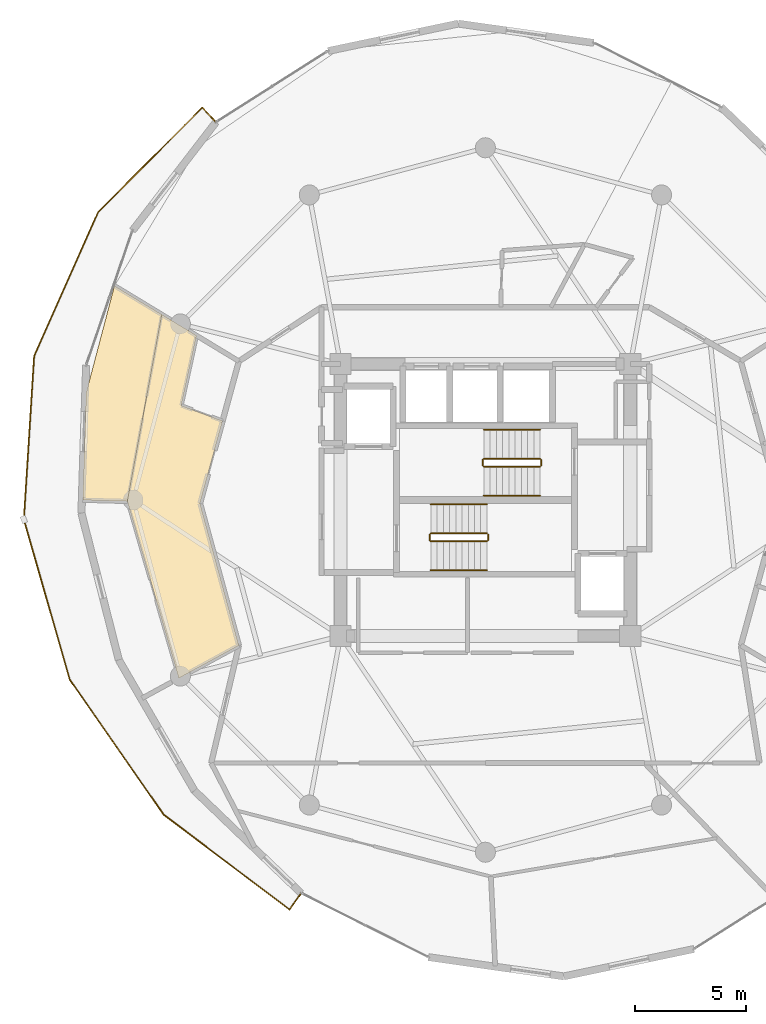
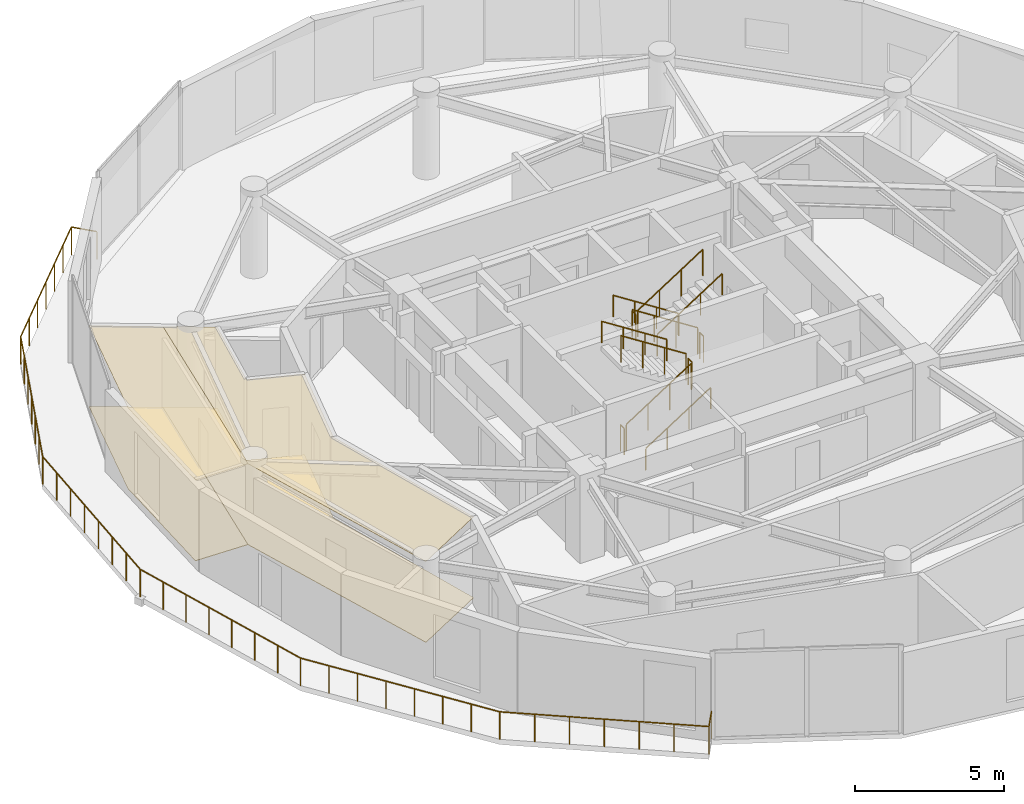
# One storey, part 18 of 19: 13 railings, 4 coverings.
"""IFC4 building model written with IfcOpenShell, lengths in metres."""

from ifc_helpers import new_model, si_unit, direction, frame, origin, origin_2d, place, context, subcontext, project, spatial, polyline, circle, outline, extrude, material, layer, layer_set, type_object, element, save


model = new_model("IFC4")

# Units and contexts
model_context = context("Model", 3, precision=1e-05, world=origin(), true_north=direction((0.0, 1.0)))
body_context = subcontext(model_context, "Body", "Model", "MODEL_VIEW")
ifc_project = project(units=[si_unit("LENGTHUNIT", "METRE"), si_unit("AREAUNIT", "SQUARE_METRE"), si_unit("VOLUMEUNIT", "CUBIC_METRE"), si_unit("PLANEANGLEUNIT", "RADIAN"), si_unit("MASSUNIT", "GRAM", prefix="KILO")], contexts=[model_context])

# Site, building, storey
site_placement = place(None, origin())
site = spatial("IfcSite", under=ifc_project, at=site_placement, CompositionType="ELEMENT")
building_placement = place(site_placement, origin())
building = spatial("IfcBuilding", under=site, at=building_placement, Name="Solvirekh Grand Hotel", CompositionType="ELEMENT")
storey_placement = place(building_placement, frame((0.0, 0.0, 212.800048828125)))
storey = spatial("IfcBuildingStorey", under=building, at=storey_placement, Name="L55", CompositionType="ELEMENT", Elevation=212.800048828125)

# Coverings
ifc_material_1 = material(Name="Acoustic Mineral Ceiling Tile")
ifc_layer_1 = layer(ifc_material_1, 0.02490234375)
ifc_layer_set_1 = layer_set([ifc_layer_1], Name="Acoustic Mineral Ceiling Tile")
covering_type_1 = type_object("IfcCoveringType", Name="Cov_Ceiling_Acoustic", PredefinedType="CEILING", material=ifc_layer_set_1)
covering_1_placement = place(storey_placement, frame((0.0, 0.0, 3.31005859375)))
element("IfcCovering", 1, at=covering_1_placement, inside=storey, type_object=covering_type_1, Name="L55 Executive Suite 5703 Living Room acoustic ceiling", PredefinedType="CEILING", context=body_context, shape_type="SweptSolid", body=[
    extrude(outline(polyline([(-13.64208984375, 4.236083984375), (-12.9560546875, 7.375), (-14.51904296875, 8.322021484375), (-16.06201171875, -0.056884765625), (-13.751953125, -7.992919921875), (-11.05810546875, -6.52490234375), (-12.800048828125, -0.14990234375), (-11.7900390625, 3.547119140625), (-13.64208984375, 4.236083984375)])), origin(), (0.0, 0.0, 1.0), 0.017822265625),
])
covering_2_placement = place(storey_placement, frame((0.0, 0.0, 3.31005859375)))
element("IfcCovering", 2, at=covering_2_placement, inside=storey, type_object=covering_type_1, Name="L55 Executive Suite 5703 Master Bedroom acoustic ceiling", PredefinedType="CEILING", context=body_context, shape_type="SweptSolid", body=[
    extrude(outline(polyline([(-16.639892578125, 9.60693359375), (-17.908935546875, 4.799072265625), (-18.06103515625, 0.0), (-16.06201171875, -0.056884765625), (-14.51904296875, 8.322021484375), (-16.639892578125, 9.60693359375)])), origin(), (0.0, 0.0, 1.0), 0.017822265625),
])
ifc_material_2 = material(Name="Porcelain Stoneware Flooring", Category="masonry")
ifc_layer_2 = layer(ifc_material_2, 0.030029296875)
ifc_layer_set_2 = layer_set([ifc_layer_2], Name="Porcelain Stoneware Flooring")
covering_type_2 = type_object("IfcCoveringType", Name="Cov_Floor_Stone", PredefinedType="FLOORING", material=ifc_layer_set_2)
covering_3_placement = place(storey_placement, origin())
element("IfcCovering", 3, at=covering_3_placement, inside=storey, type_object=covering_type_2, Name="L55 Executive Suite 5703 Living Room polished granite flooring", PredefinedType="FLOORING", context=body_context, shape_type="SweptSolid", body=[
    extrude(outline(polyline([(-13.64208984375, 4.236083984375), (-12.9560546875, 7.375), (-14.51904296875, 8.322021484375), (-16.06201171875, -0.056884765625), (-13.751953125, -7.992919921875), (-11.05810546875, -6.52490234375), (-12.800048828125, -0.14990234375), (-11.7900390625, 3.547119140625), (-13.64208984375, 4.236083984375)])), origin(), (0.0, 0.0, 1.0), 0.02001953125),
])
covering_4_placement = place(storey_placement, origin())
element("IfcCovering", 4, at=covering_4_placement, inside=storey, type_object=covering_type_2, Name="L55 Executive Suite 5703 Master Bedroom polished granite flooring", PredefinedType="FLOORING", context=body_context, shape_type="SweptSolid", body=[
    extrude(outline(polyline([(-16.639892578125, 9.60693359375), (-17.908935546875, 4.799072265625), (-18.06103515625, 0.0), (-16.06201171875, -0.056884765625), (-14.51904296875, 8.322021484375), (-16.639892578125, 9.60693359375)])), origin(), (0.0, 0.0, 1.0), 0.02001953125),
])

# Railings
ifc_material_3 = material(Name="Anodized Bronze Aluminium 6063-T6", Category="aluminium")
railing_type_1 = type_object("IfcRailingType", Name="Guard_ExtGlass_1150", PredefinedType="BALUSTRADE", material=ifc_material_3)
railing_1_placement = place(storey_placement, frame((-12.090087890625, 16.943115234375, 0.0)))
element("IfcRailing", 5, at=railing_1_placement, inside=storey, type_object=railing_type_1, Name="L55 balc perimeter glass balustrade", PredefinedType="BALUSTRADE", context=body_context, shape_type="SweptSolid", body=[
    extrude(circle(Radius=0.02392578125, at=origin_2d()), frame((0.0, 0.0, 1.1259765625), z_axis=(-0.676498087058, 0.736444389079, 0.0), x_axis=(-0.736444389079, -0.676498087058, 0.0)), (0.0, 0.0, 1.0), 0.900146484375),
    extrude(circle(Radius=0.02392578125, at=origin_2d()), frame((-0.60888671875, 0.662841796875, 1.1259765625), z_axis=(-0.705373367744, -0.708835955689, 0.0), x_axis=(0.708835955689, -0.705373367744, 0.0)), (0.0, 0.0, 1.0), 6.627685546875),
    extrude(circle(Radius=0.02392578125, at=origin_2d()), frame((-5.283935546875, -4.03515625, 1.1259765625), z_axis=(-0.40672607308, -0.913550163635, 0.0), x_axis=(0.913550163635, -0.40672607308, 0.0)), (0.0, 0.0, 1.0), 7.0537109375),
    extrude(circle(Radius=0.02392578125, at=origin_2d()), frame((-8.15283203125, -10.47900390625, 1.1259765625), z_axis=(-0.062830815664, -0.998024192394, 0.0), x_axis=(0.998024192394, -0.062830815664, 0.0)), (0.0, 0.0, 1.0), 7.355712890625),
    extrude(circle(Radius=0.02392578125, at=origin_2d()), frame((-8.614990234375, -17.820068359375, 1.1259765625), z_axis=(0.275765040217, -0.961225073848, 0.0), x_axis=(0.961225073848, 0.275765040217, 0.0)), (0.0, 0.0, 1.0), 7.473876953125),
    extrude(circle(Radius=0.02392578125, at=origin_2d()), frame((-6.553955078125, -25.004150390625, 1.1259765625), z_axis=(0.571210853476, -0.820803363097, 0.0), x_axis=(0.820803363097, 0.571210853476, 0.0)), (0.0, 0.0, 1.0), 7.379150390625),
    extrude(circle(Radius=0.02392578125, at=origin_2d()), frame((-2.3388671875, -31.06103515625, 1.1259765625), z_axis=(0.798579849837, -0.60188887964, 0.0), x_axis=(0.60188887964, 0.798579849837, 0.0)), (0.0, 0.0, 1.0), 7.06640625),
    extrude(circle(Radius=0.02392578125, at=origin_2d()), frame((3.30419921875, -35.314208984375, 1.1259765625), z_axis=(0.579980116185, 0.814630630918, 0.0), x_axis=(-0.814630630918, 0.579980116185, 0.0)), (0.0, 0.0, 1.0), 0.89990234375),
    extrude(circle(Radius=0.02099609375, at=origin_2d()), origin(), (0.0, 0.0, 1.0), 1.101806640625),
    extrude(circle(Radius=0.02099609375, at=origin_2d()), frame((-0.60888671875, 0.662841796875, 0.0)), (0.0, 0.0, 1.0), 1.101806640625),
    extrude(circle(Radius=0.02099609375, at=origin_2d()), frame((-1.38818359375, -0.1201171875, 0.0)), (0.0, 0.0, 1.0), 1.101806640625),
    extrude(circle(Radius=0.02099609375, at=origin_2d()), frame((-2.167236328125, -0.903076171875, 0.0)), (0.0, 0.0, 1.0), 1.101806640625),
    extrude(circle(Radius=0.02099609375, at=origin_2d()), frame((-2.9462890625, -1.68603515625, 0.0)), (0.0, 0.0, 1.0), 1.101806640625),
    extrude(circle(Radius=0.02099609375, at=origin_2d()), frame((-3.7255859375, -2.46923828125, 0.0)), (0.0, 0.0, 1.0), 1.101806640625),
    extrude(circle(Radius=0.02099609375, at=origin_2d()), frame((-4.5048828125, -3.252197265625, 0.0)), (0.0, 0.0, 1.0), 1.101806640625),
    extrude(circle(Radius=0.02099609375, at=origin_2d()), frame((-5.283935546875, -4.03515625, 0.0)), (0.0, 0.0, 1.0), 1.101806640625),
    extrude(circle(Radius=0.02099609375, at=origin_2d()), frame((-5.76220703125, -5.109130859375, 0.0)), (0.0, 0.0, 1.0), 1.101806640625),
    extrude(circle(Radius=0.02099609375, at=origin_2d()), frame((-6.240234375, -6.18310546875, 0.0)), (0.0, 0.0, 1.0), 1.101806640625),
    extrude(circle(Radius=0.02099609375, at=origin_2d()), frame((-6.71826171875, -7.257080078125, 0.0)), (0.0, 0.0, 1.0), 1.101806640625),
    extrude(circle(Radius=0.02099609375, at=origin_2d()), frame((-7.196533203125, -8.3310546875, 0.0)), (0.0, 0.0, 1.0), 1.101806640625),
    extrude(circle(Radius=0.02099609375, at=origin_2d()), frame((-7.6748046875, -9.405029296875, 0.0)), (0.0, 0.0, 1.0), 1.101806640625),
    extrude(circle(Radius=0.02099609375, at=origin_2d()), frame((-8.15283203125, -10.47900390625, 0.0)), (0.0, 0.0, 1.0), 1.101806640625),
    extrude(circle(Radius=0.02099609375, at=origin_2d()), frame((-8.21875, -11.52783203125, 0.0)), (0.0, 0.0, 1.0), 1.101806640625),
    extrude(circle(Radius=0.02099609375, at=origin_2d()), frame((-8.284912109375, -12.576416015625, 0.0)), (0.0, 0.0, 1.0), 1.101806640625),
    extrude(circle(Radius=0.02099609375, at=origin_2d()), frame((-8.350830078125, -13.625244140625, 0.0)), (0.0, 0.0, 1.0), 1.101806640625),
    extrude(circle(Radius=0.02099609375, at=origin_2d()), frame((-8.4169921875, -14.673828125, 0.0)), (0.0, 0.0, 1.0), 1.101806640625),
    extrude(circle(Radius=0.02099609375, at=origin_2d()), frame((-8.48291015625, -15.72265625, 0.0)), (0.0, 0.0, 1.0), 1.101806640625),
    extrude(circle(Radius=0.02099609375, at=origin_2d()), frame((-8.549072265625, -16.771240234375, 0.0)), (0.0, 0.0, 1.0), 1.101806640625),
    extrude(circle(Radius=0.02099609375, at=origin_2d()), frame((-8.614990234375, -17.820068359375, 0.0)), (0.0, 0.0, 1.0), 1.101806640625),
    extrude(circle(Radius=0.02099609375, at=origin_2d()), frame((-8.320556640625, -18.846435546875, 0.0)), (0.0, 0.0, 1.0), 1.101806640625),
    extrude(circle(Radius=0.02099609375, at=origin_2d()), frame((-8.026123046875, -19.87255859375, 0.0)), (0.0, 0.0, 1.0), 1.101806640625),
    extrude(circle(Radius=0.02099609375, at=origin_2d()), frame((-7.731689453125, -20.89892578125, 0.0)), (0.0, 0.0, 1.0), 1.101806640625),
    extrude(circle(Radius=0.02099609375, at=origin_2d()), frame((-7.437255859375, -21.92529296875, 0.0)), (0.0, 0.0, 1.0), 1.101806640625),
    extrude(circle(Radius=0.02099609375, at=origin_2d()), frame((-7.142822265625, -22.95166015625, 0.0)), (0.0, 0.0, 1.0), 1.101806640625),
    extrude(circle(Radius=0.02099609375, at=origin_2d()), frame((-6.848388671875, -23.977783203125, 0.0)), (0.0, 0.0, 1.0), 1.101806640625),
    extrude(circle(Radius=0.02099609375, at=origin_2d()), frame((-6.553955078125, -25.004150390625, 0.0)), (0.0, 0.0, 1.0), 1.101806640625),
    extrude(circle(Radius=0.02099609375, at=origin_2d()), frame((-5.951904296875, -25.869384765625, 0.0)), (0.0, 0.0, 1.0), 1.101806640625),
    extrude(circle(Radius=0.02099609375, at=origin_2d()), frame((-5.349609375, -26.734619140625, 0.0)), (0.0, 0.0, 1.0), 1.101806640625),
    extrude(circle(Radius=0.02099609375, at=origin_2d()), frame((-4.74755859375, -27.599853515625, 0.0)), (0.0, 0.0, 1.0), 1.101806640625),
    extrude(circle(Radius=0.02099609375, at=origin_2d()), frame((-4.145263671875, -28.46533203125, 0.0)), (0.0, 0.0, 1.0), 1.101806640625),
    extrude(circle(Radius=0.02099609375, at=origin_2d()), frame((-3.543212890625, -29.33056640625, 0.0)), (0.0, 0.0, 1.0), 1.101806640625),
    extrude(circle(Radius=0.02099609375, at=origin_2d()), frame((-2.94091796875, -30.19580078125, 0.0)), (0.0, 0.0, 1.0), 1.101806640625),
    extrude(circle(Radius=0.02099609375, at=origin_2d()), frame((-2.3388671875, -31.06103515625, 0.0)), (0.0, 0.0, 1.0), 1.101806640625),
    extrude(circle(Radius=0.02099609375, at=origin_2d()), frame((-1.3984375, -31.77001953125, 0.0)), (0.0, 0.0, 1.0), 1.101806640625),
    extrude(circle(Radius=0.02099609375, at=origin_2d()), frame((-0.457763671875, -32.478759765625, 0.0)), (0.0, 0.0, 1.0), 1.101806640625),
    extrude(circle(Radius=0.02099609375, at=origin_2d()), frame((0.482666015625, -33.1875, 0.0)), (0.0, 0.0, 1.0), 1.101806640625),
    extrude(circle(Radius=0.02099609375, at=origin_2d()), frame((1.423095703125, -33.896484375, 0.0)), (0.0, 0.0, 1.0), 1.101806640625),
    extrude(circle(Radius=0.02099609375, at=origin_2d()), frame((2.36376953125, -34.60546875, 0.0)), (0.0, 0.0, 1.0), 1.101806640625),
    extrude(circle(Radius=0.02099609375, at=origin_2d()), frame((3.30419921875, -35.314208984375, 0.0)), (0.0, 0.0, 1.0), 1.101806640625),
    extrude(circle(Radius=0.02099609375, at=origin_2d()), frame((3.826171875, -34.5810546875, 0.0)), (0.0, 0.0, 1.0), 1.101806640625),
])
ifc_material_4 = material(Name="Steel S355", Category="steel")
railing_type_2 = type_object("IfcRailingType", Name="Guard_Stair_1100", PredefinedType="GUARDRAIL", material=ifc_material_4)
railing_2_placement = place(storey_placement, frame((-2.449951171875, -1.85009765625, 0.179931640625)))
element("IfcRailing", 6, at=railing_2_placement, inside=storey, type_object=railing_type_2, Name="L55 ST-1 stair guard 1", PredefinedType="GUARDRAIL", context=body_context, shape_type="SweptSolid", body=[
    extrude(circle(Radius=0.02392578125, at=origin_2d()), frame((0.0, 0.0, 1.076171875), z_axis=(0.841162588446, 0.0, 0.540782303519), x_axis=(0.0, 1.0, 0.0)), (0.0, 0.0, 1.0), 2.995849609375),
    extrude(circle(Radius=0.02099609375, at=origin_2d()), origin(), (0.0, 0.0, 1.0), 1.052001953125),
    extrude(circle(Radius=0.02099609375, at=origin_2d()), frame((0.840087890625, 0.0, 0.5400390625)), (0.0, 0.0, 1.0), 1.052001953125),
    extrude(circle(Radius=0.02099609375, at=origin_2d()), frame((1.679931640625, 0.0, 1.080078125)), (0.0, 0.0, 1.0), 1.052001953125),
    extrude(circle(Radius=0.02099609375, at=origin_2d()), frame((2.52001953125, 0.0, 1.6201171875)), (0.0, 0.0, 1.0), 1.052001953125),
])
railing_3_placement = place(storey_placement, frame((0.1201171875, -1.800048828125, 1.800048828125)))
element("IfcRailing", 7, at=railing_3_placement, inside=storey, type_object=railing_type_2, Name="L55 ST-1 stair guard 2", PredefinedType="GUARDRAIL", context=body_context, shape_type="SweptSolid", body=[
    extrude(circle(Radius=0.02392578125, at=origin_2d()), frame((0.0, 0.0, 1.076171875), z_axis=(0.0, 1.0, 0.0), x_axis=(-1.0, 0.0, 0.0)), (0.0, 0.0, 1.0), 0.25),
    extrude(circle(Radius=0.02099609375, at=origin_2d()), origin(), (0.0, 0.0, 1.0), 1.052001953125),
    extrude(circle(Radius=0.02099609375, at=origin_2d()), frame((0.0, 0.25, 0.0)), (0.0, 0.0, 1.0), 1.052001953125),
])
railing_4_placement = place(storey_placement, frame((0.070068359375, -1.5, 1.97998046875)))
element("IfcRailing", 8, at=railing_4_placement, inside=storey, type_object=railing_type_2, Name="L55 ST-1 stair guard 3", PredefinedType="GUARDRAIL", context=body_context, shape_type="SweptSolid", body=[
    extrude(circle(Radius=0.02392578125, at=origin_2d()), frame((0.0, 0.0, 1.076171875), z_axis=(-0.841199657755, 0.0, 0.540724639528), x_axis=(0.0, -1.0, 0.0)), (0.0, 0.0, 1.0), 2.995849609375),
    extrude(circle(Radius=0.02099609375, at=origin_2d()), origin(), (0.0, 0.0, 1.0), 1.052001953125),
    extrude(circle(Radius=0.02099609375, at=origin_2d()), frame((-0.840087890625, 0.0, 0.5400390625)), (0.0, 0.0, 1.0), 1.052001953125),
    extrude(circle(Radius=0.02099609375, at=origin_2d()), frame((-1.679931640625, 0.0, 1.079833984375)), (0.0, 0.0, 1.0), 1.052001953125),
    extrude(circle(Radius=0.02099609375, at=origin_2d()), frame((-2.52001953125, 0.0, 1.619873046875)), (0.0, 0.0, 1.0), 1.052001953125),
])
railing_5_placement = place(storey_placement, frame((-2.5, -1.800048828125, 0.0)))
element("IfcRailing", 9, at=railing_5_placement, inside=storey, type_object=railing_type_2, Name="L55 ST-1 stair guard 4", PredefinedType="GUARDRAIL", context=body_context, shape_type="SweptSolid", body=[
    extrude(circle(Radius=0.02392578125, at=origin_2d()), frame((0.0, 0.0, 1.076171875), z_axis=(0.0, 1.0, 0.0), x_axis=(-1.0, 0.0, 0.0)), (0.0, 0.0, 1.0), 0.25),
    extrude(circle(Radius=0.02099609375, at=origin_2d()), origin(), (0.0, 0.0, 1.0), 1.052001953125),
    extrude(circle(Radius=0.02099609375, at=origin_2d()), frame((0.0, 0.25, 0.0)), (0.0, 0.0, 1.0), 1.052001953125),
])
railing_6_placement = place(storey_placement, frame((2.449951171875, 1.85009765625, 0.179931640625)))
element("IfcRailing", 10, at=railing_6_placement, inside=storey, type_object=railing_type_2, Name="L55 ST-2 stair guard 1", PredefinedType="GUARDRAIL", context=body_context, shape_type="SweptSolid", body=[
    extrude(circle(Radius=0.02392578125, at=origin_2d()), frame((0.0, 0.0, 1.076171875), z_axis=(-0.841162588446, 0.0, 0.540782303519), x_axis=(0.0, -1.0, 0.0)), (0.0, 0.0, 1.0), 2.995849609375),
    extrude(circle(Radius=0.02099609375, at=origin_2d()), origin(), (0.0, 0.0, 1.0), 1.052001953125),
    extrude(circle(Radius=0.02099609375, at=origin_2d()), frame((-0.840087890625, 0.0, 0.5400390625)), (0.0, 0.0, 1.0), 1.052001953125),
    extrude(circle(Radius=0.02099609375, at=origin_2d()), frame((-1.679931640625, 0.0, 1.080078125)), (0.0, 0.0, 1.0), 1.052001953125),
    extrude(circle(Radius=0.02099609375, at=origin_2d()), frame((-2.52001953125, 0.0, 1.6201171875)), (0.0, 0.0, 1.0), 1.052001953125),
])
railing_7_placement = place(storey_placement, frame((-0.1201171875, 1.800048828125, 1.800048828125)))
element("IfcRailing", 11, at=railing_7_placement, inside=storey, type_object=railing_type_2, Name="L55 ST-2 stair guard 2", PredefinedType="GUARDRAIL", context=body_context, shape_type="SweptSolid", body=[
    extrude(circle(Radius=0.02392578125, at=origin_2d()), frame((0.0, 0.0, 1.076171875), z_axis=(0.0, -1.0, 0.0), x_axis=(1.0, 0.0, 0.0)), (0.0, 0.0, 1.0), 0.25),
    extrude(circle(Radius=0.02099609375, at=origin_2d()), origin(), (0.0, 0.0, 1.0), 1.052001953125),
    extrude(circle(Radius=0.02099609375, at=origin_2d()), frame((0.0, -0.25, 0.0)), (0.0, 0.0, 1.0), 1.052001953125),
])
railing_8_placement = place(storey_placement, frame((-0.070068359375, 1.5, 1.97998046875)))
element("IfcRailing", 12, at=railing_8_placement, inside=storey, type_object=railing_type_2, Name="L55 ST-2 stair guard 3", PredefinedType="GUARDRAIL", context=body_context, shape_type="SweptSolid", body=[
    extrude(circle(Radius=0.02392578125, at=origin_2d()), frame((0.0, 0.0, 1.076171875), z_axis=(0.841199657755, 0.0, 0.540724639528), x_axis=(0.0, 1.0, 0.0)), (0.0, 0.0, 1.0), 2.995849609375),
    extrude(circle(Radius=0.02099609375, at=origin_2d()), origin(), (0.0, 0.0, 1.0), 1.052001953125),
    extrude(circle(Radius=0.02099609375, at=origin_2d()), frame((0.840087890625, 0.0, 0.5400390625)), (0.0, 0.0, 1.0), 1.052001953125),
    extrude(circle(Radius=0.02099609375, at=origin_2d()), frame((1.679931640625, 0.0, 1.079833984375)), (0.0, 0.0, 1.0), 1.052001953125),
    extrude(circle(Radius=0.02099609375, at=origin_2d()), frame((2.52001953125, 0.0, 1.619873046875)), (0.0, 0.0, 1.0), 1.052001953125),
])
railing_9_placement = place(storey_placement, frame((2.5, 1.800048828125, 0.0)))
element("IfcRailing", 13, at=railing_9_placement, inside=storey, type_object=railing_type_2, Name="L55 ST-2 stair guard 4", PredefinedType="GUARDRAIL", context=body_context, shape_type="SweptSolid", body=[
    extrude(circle(Radius=0.02392578125, at=origin_2d()), frame((0.0, 0.0, 1.076171875), z_axis=(0.0, -1.0, 0.0), x_axis=(1.0, 0.0, 0.0)), (0.0, 0.0, 1.0), 0.25),
    extrude(circle(Radius=0.02099609375, at=origin_2d()), origin(), (0.0, 0.0, 1.0), 1.052001953125),
    extrude(circle(Radius=0.02099609375, at=origin_2d()), frame((0.0, -0.25, 0.0)), (0.0, 0.0, 1.0), 1.052001953125),
])
railing_type_3 = type_object("IfcRailingType", Name="Handrail_Wall_900", PredefinedType="HANDRAIL", material=ifc_material_3)
railing_10_placement = place(storey_placement, frame((-2.449951171875, -3.14990234375, 0.179931640625)))
element("IfcRailing", 14, at=railing_10_placement, inside=storey, type_object=railing_type_3, Name="L55 ST-1 stair handrail 1", PredefinedType="HANDRAIL", context=body_context, shape_type="SweptSolid", body=[
    extrude(circle(Radius=0.02392578125, at=origin_2d()), frame((0.0, 0.0, 0.8759765625), z_axis=(0.841162588446, 0.0, 0.540782303519), x_axis=(0.0, 1.0, 0.0)), (0.0, 0.0, 1.0), 2.995849609375),
    extrude(circle(Radius=0.02099609375, at=origin_2d()), origin(), (0.0, 0.0, 1.0), 0.851806640625),
    extrude(circle(Radius=0.02099609375, at=origin_2d()), frame((0.840087890625, 0.0, 0.5400390625)), (0.0, 0.0, 1.0), 0.851806640625),
    extrude(circle(Radius=0.02099609375, at=origin_2d()), frame((1.679931640625, 0.0, 1.080078125)), (0.0, 0.0, 1.0), 0.851806640625),
    extrude(circle(Radius=0.02099609375, at=origin_2d()), frame((2.52001953125, 0.0, 1.6201171875)), (0.0, 0.0, 1.0), 0.851806640625),
])
railing_11_placement = place(storey_placement, frame((0.070068359375, -0.199951171875, 1.97998046875)))
element("IfcRailing", 15, at=railing_11_placement, inside=storey, type_object=railing_type_3, Name="L55 ST-1 stair handrail 2", PredefinedType="HANDRAIL", context=body_context, shape_type="SweptSolid", body=[
    extrude(circle(Radius=0.02392578125, at=origin_2d()), frame((0.0, 0.0, 0.8759765625), z_axis=(-0.841199657755, 0.0, 0.540724639528), x_axis=(0.0, -1.0, 0.0)), (0.0, 0.0, 1.0), 2.995849609375),
    extrude(circle(Radius=0.02099609375, at=origin_2d()), origin(), (0.0, 0.0, 1.0), 0.851806640625),
    extrude(circle(Radius=0.02099609375, at=origin_2d()), frame((-0.840087890625, 0.0, 0.5400390625)), (0.0, 0.0, 1.0), 0.851806640625),
    extrude(circle(Radius=0.02099609375, at=origin_2d()), frame((-1.679931640625, 0.0, 1.079833984375)), (0.0, 0.0, 1.0), 0.851806640625),
    extrude(circle(Radius=0.02099609375, at=origin_2d()), frame((-2.52001953125, 0.0, 1.619873046875)), (0.0, 0.0, 1.0), 0.851806640625),
])
railing_12_placement = place(storey_placement, frame((2.449951171875, 3.14990234375, 0.179931640625)))
element("IfcRailing", 16, at=railing_12_placement, inside=storey, type_object=railing_type_3, Name="L55 ST-2 stair handrail 1", PredefinedType="HANDRAIL", context=body_context, shape_type="SweptSolid", body=[
    extrude(circle(Radius=0.02392578125, at=origin_2d()), frame((0.0, 0.0, 0.8759765625), z_axis=(-0.841162588446, 0.0, 0.540782303519), x_axis=(0.0, -1.0, 0.0)), (0.0, 0.0, 1.0), 2.995849609375),
    extrude(circle(Radius=0.02099609375, at=origin_2d()), origin(), (0.0, 0.0, 1.0), 0.851806640625),
    extrude(circle(Radius=0.02099609375, at=origin_2d()), frame((-0.840087890625, 0.0, 0.5400390625)), (0.0, 0.0, 1.0), 0.851806640625),
    extrude(circle(Radius=0.02099609375, at=origin_2d()), frame((-1.679931640625, 0.0, 1.080078125)), (0.0, 0.0, 1.0), 0.851806640625),
    extrude(circle(Radius=0.02099609375, at=origin_2d()), frame((-2.52001953125, 0.0, 1.6201171875)), (0.0, 0.0, 1.0), 0.851806640625),
])
railing_13_placement = place(storey_placement, frame((-0.070068359375, 0.199951171875, 1.97998046875)))
element("IfcRailing", 17, at=railing_13_placement, inside=storey, type_object=railing_type_3, Name="L55 ST-2 stair handrail 2", PredefinedType="HANDRAIL", context=body_context, shape_type="SweptSolid", body=[
    extrude(circle(Radius=0.02392578125, at=origin_2d()), frame((0.0, 0.0, 0.8759765625), z_axis=(0.841199657755, 0.0, 0.540724639528), x_axis=(0.0, 1.0, 0.0)), (0.0, 0.0, 1.0), 2.995849609375),
    extrude(circle(Radius=0.02099609375, at=origin_2d()), origin(), (0.0, 0.0, 1.0), 0.851806640625),
    extrude(circle(Radius=0.02099609375, at=origin_2d()), frame((0.840087890625, 0.0, 0.5400390625)), (0.0, 0.0, 1.0), 0.851806640625),
    extrude(circle(Radius=0.02099609375, at=origin_2d()), frame((1.679931640625, 0.0, 1.079833984375)), (0.0, 0.0, 1.0), 0.851806640625),
    extrude(circle(Radius=0.02099609375, at=origin_2d()), frame((2.52001953125, 0.0, 1.619873046875)), (0.0, 0.0, 1.0), 0.851806640625),
])

save(model, "model.ifc")
